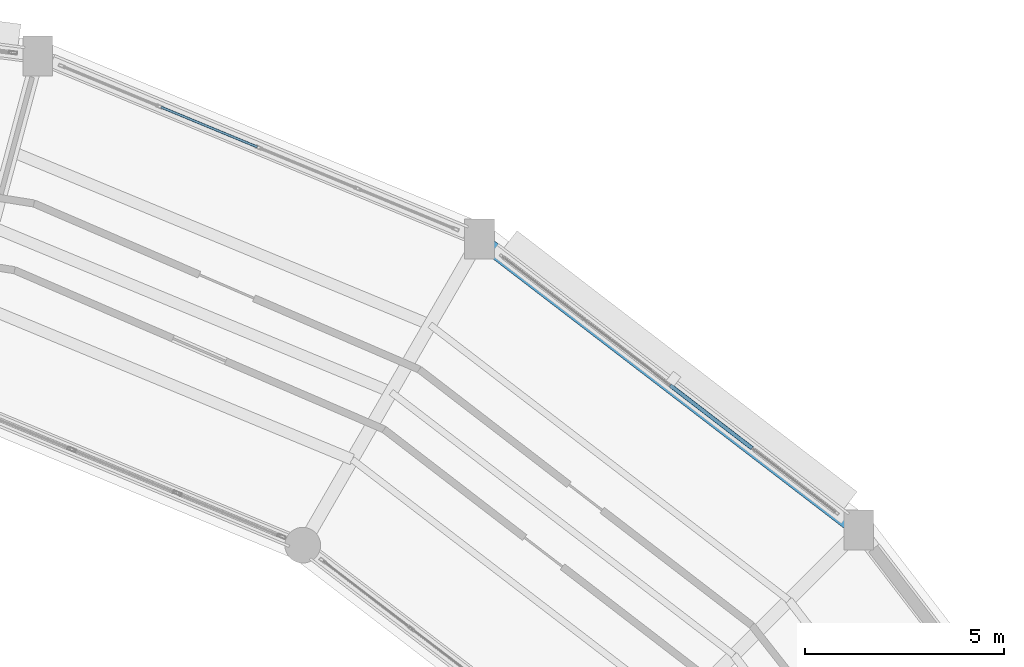
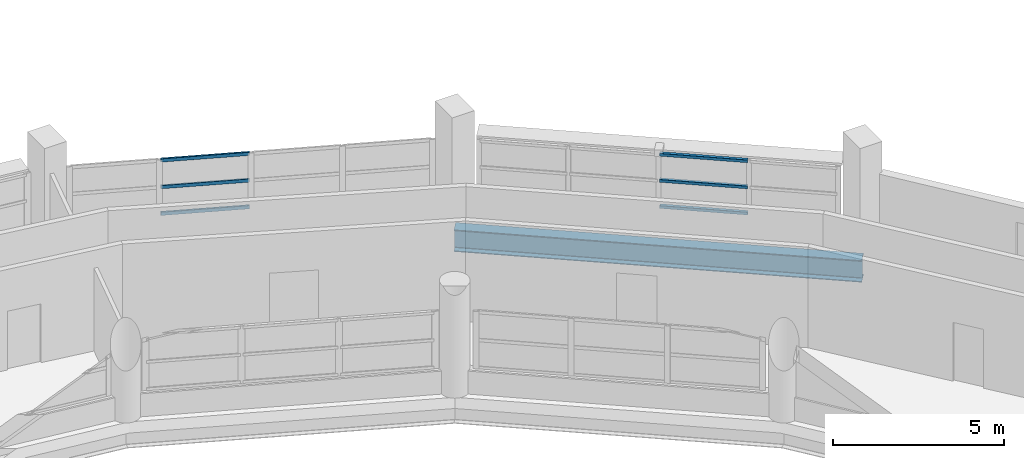
# One storey, part 80 of 108: 6 members, 1 beam, 2 elements without a shape of their own.
"""IFC4 building model written with IfcOpenShell, lengths in metres."""

import ifcopenshell
import ifcopenshell.guid

model = None  # the IFC model being written
_history = None  # IfcOwnerHistory: only IFC2X3 demands one
_inside = {}  # id of a spatial element -> (the spatial element, [elements in it])
_under = {}  # id of a project, library or spatial element -> (it, [spatial elements below it])
_declared = {}  # id of a project -> (the project, [libraries it declares])
_typed = {}  # id of a type object -> (the type object, [elements of that type])
_made_of = {}  # id of a material, layer set ... -> (it, [elements and type objects made of it])


def new_model(schema):
    """Start an empty IFC model of exactly this schema.

    Asked for "IFC4X3", IfcOpenShell would pick the latest addendum, in which some entities
    have other attributes; the version numbers below select the first issue.
    IFC2X3 requires an IfcOwnerHistory on every rooted entity: one is made here for all.
    """
    global model, _history
    if schema == "IFC4X3":
        model = ifcopenshell.file(schema_version=(4, 3, 0, 0))
    else:
        model = ifcopenshell.file(schema=schema)
    _inside.clear()
    _under.clear()
    _declared.clear()
    _typed.clear()
    _made_of.clear()
    _history = None
    if model.schema == "IFC2X3":
        org = make("IfcOrganization", Name="unknown")
        user = make(
            "IfcPersonAndOrganization",
            ThePerson=make("IfcPerson", FamilyName="unknown"),
            TheOrganization=org,
        )
        app = make(
            "IfcApplication",
            ApplicationDeveloper=org,
            Version="unknown",
            ApplicationFullName="unknown",
            ApplicationIdentifier="unknown",
        )
        _history = make(
            "IfcOwnerHistory",
            OwningUser=user,
            OwningApplication=app,
            ChangeAction="ADDED",
            CreationDate=0,
        )
    return model


def make(cls, **values):
    """One entity of the class cls with the attributes given. An attribute that is None is left unset."""
    return model.create_entity(
        cls, **{name: value for name, value in values.items() if value is not None}
    )


def rooted(cls, **values):
    """An entity with a GlobalId (a new one), such as an element, a storey or a relation."""
    return make(cls, GlobalId=ifcopenshell.guid.new(), OwnerHistory=_history, **values)


def si_unit(unit_type, name, prefix=None):
    """IfcSIUnit, for example si_unit("LENGTHUNIT", "METRE", prefix="MILLI")."""
    return make("IfcSIUnit", UnitType=unit_type, Prefix=prefix, Name=name)


def assignment(units):
    """IfcUnitAssignment: the units of a project."""
    return None if units is None else make("IfcUnitAssignment", Units=units)


def point(xyz):
    """IfcCartesianPoint."""
    return None if xyz is None else make("IfcCartesianPoint", Coordinates=xyz)


def direction(xyz):
    """IfcDirection."""
    return None if xyz is None else make("IfcDirection", DirectionRatios=xyz)


def frame(location, z_axis=None, x_axis=None):
    """IfcAxis2Placement3D, a coordinate frame: its origin and axes. An axis left out is left unset."""
    return make(
        "IfcAxis2Placement3D",
        Location=point(location),
        Axis=direction(z_axis),
        RefDirection=direction(x_axis),
    )


def frame_2d(location, x_axis=None):
    """IfcAxis2Placement2D, a coordinate frame in the plane: its origin and x axis."""
    return make(
        "IfcAxis2Placement2D", Location=point(location), RefDirection=direction(x_axis)
    )


def origin():
    """The frame at (0, 0, 0) with its axes left unset."""
    return frame((0.0, 0.0, 0.0))


def origin_2d():
    """The frame at (0, 0) in the plane with its x axis left unset."""
    return frame_2d((0.0, 0.0))


def place(relative_to, where):
    """IfcLocalPlacement: puts the frame where relative to a parent placement (None: the world)."""
    return make(
        "IfcLocalPlacement", PlacementRelTo=relative_to, RelativePlacement=where
    )


def context(
    kind, dimensions, precision=None, world=None, true_north=None, identifier=None
):
    """IfcGeometricRepresentationContext, for example the 3D "Model" context."""
    return make(
        "IfcGeometricRepresentationContext",
        ContextIdentifier=identifier,
        ContextType=kind,
        CoordinateSpaceDimension=dimensions,
        Precision=precision,
        WorldCoordinateSystem=world,
        TrueNorth=true_north,
    )


def subcontext(parent, identifier, kind, view, scale=None):
    """IfcGeometricRepresentationSubContext, for example "Body" below "Model"."""
    return make(
        "IfcGeometricRepresentationSubContext",
        ContextIdentifier=identifier,
        ContextType=kind,
        ParentContext=parent,
        TargetScale=scale,
        TargetView=view,
    )


def project(units=None, contexts=None):
    """IfcProject with its units and contexts."""
    return rooted(
        "IfcProject",
        Name="project",
        RepresentationContexts=contexts,
        UnitsInContext=assignment(units),
    )


def spatial(cls, under=None, at=None, **own):
    """A site, building, storey or space (cls), placed at a placement, below another one or the project."""
    s = rooted(cls, ObjectPlacement=at, **own)
    if under is not None:
        _under.setdefault(under.id(), (under, []))[1].append(s)
    return s


def profile(cls, at=None, kind="AREA", **sizes):
    """A parametric profile (cls). Its sizes go by their IFC names, for example OverallWidth=200.0."""
    return make(cls, ProfileType=kind, Position=at, **sizes)


def hollow_rectangle(**sizes):
    """IfcRectangleHollowProfileDef."""
    return profile("IfcRectangleHollowProfileDef", **sizes)


def i_section(**sizes):
    """IfcIShapeProfileDef."""
    return profile("IfcIShapeProfileDef", **sizes)


def extrude(swept, where, along, depth):
    """IfcExtrudedAreaSolid: the profile swept, set in the frame where, extruded along a direction by depth."""
    return make(
        "IfcExtrudedAreaSolid",
        SweptArea=swept,
        Position=where,
        ExtrudedDirection=direction(along),
        Depth=depth,
    )


def shape(context_of_items, identifier, shape_type, items):
    """IfcShapeRepresentation: the items that make up one representation, for example the "Body"."""
    return make(
        "IfcShapeRepresentation",
        ContextOfItems=context_of_items,
        RepresentationIdentifier=identifier,
        RepresentationType=shape_type,
        Items=items,
    )


def material(Name=None, Category=None):
    """IfcMaterial."""
    return make("IfcMaterial", Name=Name, Category=Category)


def layer(
    of_material, thickness, ventilated=None, Name=None, Category=None, Priority=None
):
    """IfcMaterialLayer: one layer of a wall or slab, of a material (None: an air gap)."""
    return make(
        "IfcMaterialLayer",
        Material=of_material,
        LayerThickness=thickness,
        IsVentilated=ventilated,
        Name=Name,
        Category=Category,
        Priority=Priority,
    )


def layer_set(layers, Name=None):
    """IfcMaterialLayerSet."""
    return make("IfcMaterialLayerSet", MaterialLayers=layers, LayerSetName=Name)


def material_profile(
    of_material, cross_section, Name=None, Category=None, Priority=None
):
    """IfcMaterialProfile: a cross section and its material."""
    return make(
        "IfcMaterialProfile",
        Name=Name,
        Material=of_material,
        Profile=cross_section,
        Priority=Priority,
        Category=Category,
    )


def profile_set(profiles, Name=None, composite=None):
    """IfcMaterialProfileSet."""
    return make(
        "IfcMaterialProfileSet",
        Name=Name,
        MaterialProfiles=profiles,
        CompositeProfile=composite,
    )


def made_of(thing, what):
    """Note that an element or type object is made of a material, layer set ...; save() writes the relation."""
    if what is not None:
        _made_of.setdefault(what.id(), (what, []))[1].append(thing)
    return thing


def type_object(cls, material=None, **own):
    """A type object (cls), such as IfcWallType, which elements share."""
    return made_of(rooted(cls, **own), material)


def element(
    cls,
    number,
    at=None,
    inside=None,
    cuts=None,
    type_object=None,
    material=None,
    context=None,
    identifier="Body",
    shape_type=None,
    held_by="IfcProductDefinitionShape",
    body=None,
    shapes=None,
    **own,
):
    """One element of the class cls, such as IfcWall. Its Tag is "e" and its number.

    at: its placement. inside: the storey or other place that contains it. cuts: it is an
    opening in that element (IfcRelVoidsElement). A single representation is given by context,
    identifier, shape_type and body (its items); several are given by shapes. held_by: the class
    of the entity that holds the representations. save() writes the other relations.
    """
    e = rooted(cls, Tag="e%d" % number, ObjectPlacement=at, **own)
    if body is not None:
        shapes = [shape(context, identifier, shape_type, body)]
    if shapes is not None:
        e.Representation = make(held_by, Representations=shapes)
    if inside is not None:
        _inside.setdefault(inside.id(), (inside, []))[1].append(e)
    if cuts is not None:
        rooted(
            "IfcRelVoidsElement", RelatingBuildingElement=cuts, RelatedOpeningElement=e
        )
    if type_object is not None:
        _typed.setdefault(type_object.id(), (type_object, []))[1].append(e)
    return made_of(e, material)


def aggregate(whole, parts):
    """IfcRelAggregates: a whole, such as a stair, and the parts it consists of."""
    return rooted("IfcRelAggregates", RelatingObject=whole, RelatedObjects=parts)


def save(model, path):
    """Write the relations noted so far, then the file.

    IfcRelAggregates (storeys below a building ...), IfcRelContainedInSpatialStructure (elements
    in a storey), IfcRelDefinesByType, IfcRelAssociatesMaterial and IfcRelDeclares: one each for
    every whole, place, type object, material and project.
    """
    for whole, parts in _under.values():
        aggregate(whole, parts)
    for where, things in _inside.values():
        rooted(
            "IfcRelContainedInSpatialStructure",
            RelatedElements=things,
            RelatingStructure=where,
        )
    for kind, things in _typed.values():
        rooted("IfcRelDefinesByType", RelatedObjects=things, RelatingType=kind)
    for what, things in _made_of.values():
        rooted("IfcRelAssociatesMaterial", RelatedObjects=things, RelatingMaterial=what)
    for by, libraries in _declared.values():
        rooted("IfcRelDeclares", RelatingContext=by, RelatedDefinitions=libraries)
    model.write(path)


model = new_model("IFC4")

# Units and contexts
model_context = context("Model", 3, precision=1e-05, world=origin(), true_north=direction((0.0, 1.0)))
body_context = subcontext(model_context, "Body", "Model", "MODEL_VIEW")
ifc_project = project(units=[si_unit("LENGTHUNIT", "METRE"), si_unit("AREAUNIT", "SQUARE_METRE"), si_unit("VOLUMEUNIT", "CUBIC_METRE"), si_unit("PLANEANGLEUNIT", "RADIAN"), si_unit("MASSUNIT", "GRAM", prefix="KILO")], contexts=[model_context])

# Site, building, storey
site_placement = place(None, origin())
site = spatial("IfcSite", under=ifc_project, at=site_placement, CompositionType="ELEMENT")
building_placement = place(site_placement, origin())
building = spatial("IfcBuilding", under=site, at=building_placement, Name="Vespera Passage Community Centre", CompositionType="ELEMENT")
storey_placement = place(building_placement, frame((0.0, 0.0, 12.60009765625)))
storey = spatial("IfcBuildingStorey", under=building, at=storey_placement, Name="L03", CompositionType="ELEMENT", Elevation=12.60009765625)

# Beam
ifc_material_1 = material(Name="Steel ASTM A992 Grade 50", Category="steel")
ifc_material_profile_1 = material_profile(ifc_material_1, i_section(OverallWidth=0.382080078125, OverallDepth=0.779296875, WebThickness=0.01806640625, FlangeThickness=0.030029296875, FilletRadius=0.0166015625, at=origin_2d()), Name="W30X191")
ifc_profile_set_1 = profile_set([ifc_material_profile_1], Name="Steel ASTM A992 Grade 50")
beam_type = type_object("IfcBeamType", Name="BM-SP-W30X191E", PredefinedType="SPANDREL", material=ifc_profile_set_1)
beam_placement = place(storey_placement, frame((110.59765625, 98.09765625, -0.789794921875), z_axis=(-0.793351934501, 0.608763261066, 0.0), x_axis=(-0.608763261066, -0.793351934501, 0.0)))
element("IfcBeam", 1, at=beam_placement, inside=storey, type_object=beam_type, Name="V4 L03 Outer Spandrel 3", PredefinedType="SPANDREL", context=body_context, shape_type="SweptSolid", body=[
    extrude(i_section(OverallWidth=0.382080078125, OverallDepth=0.779296875, WebThickness=0.01806640625, FlangeThickness=0.030029296875, FilletRadius=0.0166015625, at=origin_2d()), origin(), (0.0, 0.0, 1.0), 12.034423828125),
])

# Curtain wall, members
ifc_material_2 = material(Name="Anodized aluminium 6063-T6", Category="aluminium")
ifc_layer_1 = layer(ifc_material_2, 0.159912109375)
ifc_layer_set_1 = layer_set([ifc_layer_1], Name="Anodized aluminium 6063-T6")
curtain_wall_type_1 = type_object("IfcCurtainWallType", Name="CW-37E", PredefinedType="NOTDEFINED", material=ifc_layer_set_1)
curtain_wall_1_placement = place(storey_placement, origin())
curtain_wall_1 = element("IfcCurtainWall", 2, at=curtain_wall_1_placement, inside=storey, type_object=curtain_wall_type_1, Name="V4 L03 Outer Ribbon Curtain Wall 3", PredefinedType="NOTDEFINED")
ifc_material_3 = material(Name="Anodized aluminium 6063-T6", Category="aluminium")
ifc_material_profile_2 = material_profile(ifc_material_3, hollow_rectangle(XDim=0.10009765625, YDim=0.10009765625, WallThickness=0.00390625, InnerFilletRadius=0.001953125, OuterFilletRadius=0.00390625, at=origin_2d()), Name="ALU100X100X4")
ifc_profile_set_2 = profile_set([ifc_material_profile_2], Name="Anodized aluminium 6063-T6")
member_type_1 = type_object("IfcMemberType", Name="MB-CWT-100E", PredefinedType="USERDEFINED", material=ifc_profile_set_2)
member_1_placement = place(storey_placement, frame((105.849609375, 101.740966796875, 0.869873046875), z_axis=(0.793325147434, -0.608798168894, 0.0), x_axis=(0.608798168894, 0.793325147434, 0.0)))
member_1 = element("IfcMember", 3, at=member_1_placement, type_object=member_type_1, Name="CW-37E transom 3.1", ObjectType="TRANSOM", PredefinedType="USERDEFINED", context=body_context, shape_type="SweptSolid", body=[
    extrude(hollow_rectangle(XDim=0.10009765625, YDim=0.10009765625, WallThickness=0.00390625, InnerFilletRadius=0.001953125, OuterFilletRadius=0.00390625, at=origin_2d()), origin(), (0.0, 0.0, 1.0), 2.599853515625),
])
member_2_placement = place(storey_placement, frame((105.849609375, 101.740966796875, 1.802734375), z_axis=(0.793325147434, -0.608798168894, 0.0), x_axis=(0.608798168894, 0.793325147434, 0.0)))
member_2 = element("IfcMember", 4, at=member_2_placement, type_object=member_type_1, Name="CW-37E transom 3.2", ObjectType="TRANSOM", PredefinedType="USERDEFINED", context=body_context, shape_type="SweptSolid", body=[
    extrude(hollow_rectangle(XDim=0.10009765625, YDim=0.10009765625, WallThickness=0.00390625, InnerFilletRadius=0.001953125, OuterFilletRadius=0.00390625, at=origin_2d()), origin(), (0.0, 0.0, 1.0), 2.599853515625),
])
member_3_placement = place(storey_placement, frame((105.849609375, 101.740966796875, 2.735595703125), z_axis=(0.793325147434, -0.608798168894, 0.0), x_axis=(0.608798168894, 0.793325147434, 0.0)))
member_3 = element("IfcMember", 5, at=member_3_placement, type_object=member_type_1, Name="CW-37E transom 3.3", ObjectType="TRANSOM", PredefinedType="USERDEFINED", context=body_context, shape_type="SweptSolid", body=[
    extrude(hollow_rectangle(XDim=0.10009765625, YDim=0.10009765625, WallThickness=0.00390625, InnerFilletRadius=0.001953125, OuterFilletRadius=0.00390625, at=origin_2d()), origin(), (0.0, 0.0, 1.0), 2.599853515625),
])
aggregate(curtain_wall_1, [member_1, member_2, member_3])

ifc_material_4 = material(Name="Anodized aluminium 6063-T6", Category="aluminium")
ifc_layer_2 = layer(ifc_material_4, 0.159912109375)
ifc_layer_set_2 = layer_set([ifc_layer_2], Name="Anodized aluminium 6063-T6")
curtain_wall_type_2 = type_object("IfcCurtainWallType", Name="CW-39E", PredefinedType="NOTDEFINED", material=ifc_layer_set_2)
curtain_wall_2_placement = place(storey_placement, origin())
curtain_wall_2 = element("IfcCurtainWall", 6, at=curtain_wall_2_placement, inside=storey, type_object=curtain_wall_type_2, Name="V4 L03 Outer Ribbon Curtain Wall 4", PredefinedType="NOTDEFINED")
ifc_material_5 = material(Name="Anodized aluminium 6063-T6", Category="aluminium")
ifc_material_profile_3 = material_profile(ifc_material_5, hollow_rectangle(XDim=0.06005859375, YDim=0.1201171875, WallThickness=0.00390625, InnerFilletRadius=0.001953125, OuterFilletRadius=0.00390625, at=origin_2d()), Name="ALU120X60X4")
ifc_profile_set_3 = profile_set([ifc_material_profile_3], Name="Anodized aluminium 6063-T6")
member_type_2 = type_object("IfcMemberType", Name="MB-CWT-120E", PredefinedType="USERDEFINED", material=ifc_profile_set_3)
member_4_placement = place(storey_placement, frame((93.03271484375, 108.74462890625, 0.849853515625), z_axis=(0.92389545334, -0.382644993822, 0.0), x_axis=(0.382644993822, 0.92389545334, 0.0)))
member_4 = element("IfcMember", 7, at=member_4_placement, type_object=member_type_2, Name="CW-39E transom 2.1", ObjectType="TRANSOM", PredefinedType="USERDEFINED", context=body_context, shape_type="SweptSolid", body=[
    extrude(hollow_rectangle(XDim=0.06005859375, YDim=0.1201171875, WallThickness=0.00390625, InnerFilletRadius=0.001953125, OuterFilletRadius=0.00390625, at=origin_2d()), origin(), (0.0, 0.0, 1.0), 2.623046875),
])
member_5_placement = place(storey_placement, frame((93.03271484375, 108.74462890625, 1.802734375), z_axis=(0.92389545334, -0.382644993822, 0.0), x_axis=(0.382644993822, 0.92389545334, 0.0)))
member_5 = element("IfcMember", 8, at=member_5_placement, type_object=member_type_2, Name="CW-39E transom 2.2", ObjectType="TRANSOM", PredefinedType="USERDEFINED", context=body_context, shape_type="SweptSolid", body=[
    extrude(hollow_rectangle(XDim=0.06005859375, YDim=0.1201171875, WallThickness=0.00390625, InnerFilletRadius=0.001953125, OuterFilletRadius=0.00390625, at=origin_2d()), origin(), (0.0, 0.0, 1.0), 2.623046875),
])
member_6_placement = place(storey_placement, frame((93.03271484375, 108.74462890625, 2.755615234375), z_axis=(0.92389545334, -0.382644993822, 0.0), x_axis=(0.382644993822, 0.92389545334, 0.0)))
member_6 = element("IfcMember", 9, at=member_6_placement, type_object=member_type_2, Name="CW-39E transom 2.3", ObjectType="TRANSOM", PredefinedType="USERDEFINED", context=body_context, shape_type="SweptSolid", body=[
    extrude(hollow_rectangle(XDim=0.06005859375, YDim=0.1201171875, WallThickness=0.00390625, InnerFilletRadius=0.001953125, OuterFilletRadius=0.00390625, at=origin_2d()), origin(), (0.0, 0.0, 1.0), 2.623046875),
])
aggregate(curtain_wall_2, [member_4, member_5, member_6])

save(model, "model.ifc")
